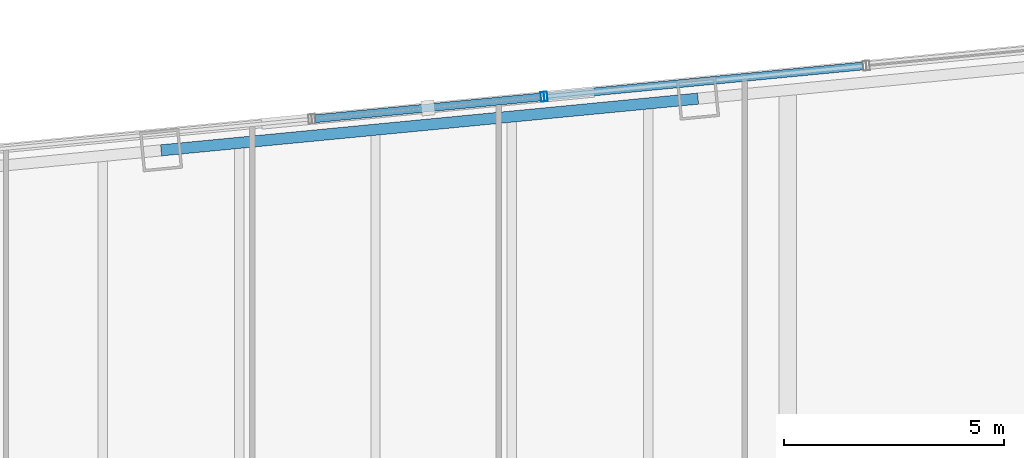
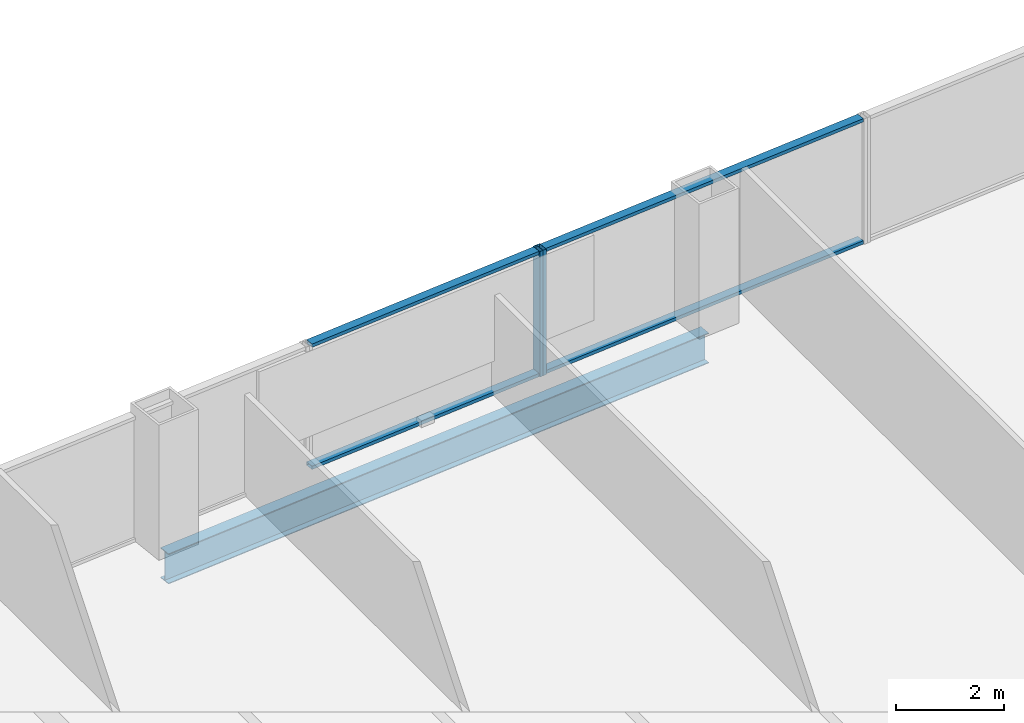
# One storey, part 17 of 27: 6 members, 1 beam, 2 elements without a shape of their own.
"""IFC4 building model written with IfcOpenShell, lengths in metres."""

from ifc_helpers import new_model, si_unit, direction, frame, origin, origin_2d, place, context, subcontext, project, spatial, hollow_rectangle, i_section, extrude, material, layer, layer_set, material_profile, profile_set, type_object, element, aggregate, save


model = new_model("IFC4")

# Units and contexts
model_context = context("Model", 3, precision=1e-05, world=origin(), true_north=direction((0.0, 1.0)))
body_context = subcontext(model_context, "Body", "Model", "MODEL_VIEW")
ifc_project = project(units=[si_unit("LENGTHUNIT", "METRE"), si_unit("AREAUNIT", "SQUARE_METRE"), si_unit("VOLUMEUNIT", "CUBIC_METRE"), si_unit("PLANEANGLEUNIT", "RADIAN"), si_unit("MASSUNIT", "GRAM", prefix="KILO")], contexts=[model_context])

# Site, building, storey
site_placement = place(None, origin())
site = spatial("IfcSite", under=ifc_project, at=site_placement, CompositionType="ELEMENT")
building_placement = place(site_placement, origin())
building = spatial("IfcBuilding", under=site, at=building_placement, Name="Qhalaya Broadcast Tower", CompositionType="ELEMENT")
storey_placement = place(building_placement, frame((0.0, 0.0, 84.699951171875)))
storey = spatial("IfcBuildingStorey", under=building, at=storey_placement, Name="L24", CompositionType="ELEMENT", Elevation=84.699951171875)

# Beam
ifc_material_1 = material(Name="Structural Steel ASTM A992 Grade 50", Category="steel")
ifc_material_profile_1 = material_profile(ifc_material_1, i_section(OverallWidth=0.25390625, OverallDepth=0.68310546875, WebThickness=0.012451171875, FlangeThickness=0.01904296875, at=origin_2d()), Name="W27X94")
ifc_profile_set_1 = profile_set([ifc_material_profile_1], Name="Structural Steel ASTM A992 Grade 50")
beam_type = type_object("IfcBeamType", Name="Perimeter Ring Spandrel Beam SP1", PredefinedType="SPANDREL", material=ifc_profile_set_1)
beam_placement = place(storey_placement, frame((7.335205078125, 28.116943359375, -0.5615234375), z_axis=(-0.99539563662, -0.095851586307, 0.0), x_axis=(0.095851586307, -0.99539563662, 0.0)))
element("IfcBeam", 1, at=beam_placement, inside=storey, type_object=beam_type, Name="L24 SP1 L24-SPR-10", PredefinedType="SPANDREL", context=body_context, shape_type="SweptSolid", body=[
    extrude(i_section(OverallWidth=0.25390625, OverallDepth=0.68310546875, WebThickness=0.012451171875, FlangeThickness=0.01904296875, at=origin_2d()), origin(), (0.0, 0.0, 1.0), 12.2666015625),
])

# Curtain wall, member
ifc_material_2 = material(Name="Fired Architectural Terracotta", Category="masonry")
ifc_layer_1 = layer(ifc_material_2, 0.219970703125, Name="Fired Architectural Terracotta")
ifc_layer_set_1 = layer_set([ifc_layer_1], Name="Fired Architectural Terracotta")
curtain_wall_type_1 = type_object("IfcCurtainWallType", Name="Block-Cap Unitised Terracotta Spandrel Wall CW-07", PredefinedType="NOTDEFINED", material=ifc_layer_set_1)
curtain_wall_1_placement = place(storey_placement, origin())
curtain_wall_1 = element("IfcCurtainWall", 2, at=curtain_wall_1_placement, inside=storey, type_object=curtain_wall_type_1, Name="L24 Unitised Curtain Wall L24-CW-N3", PredefinedType="NOTDEFINED")
ifc_material_3 = material(Name="Anodised Aluminium 6063-T6", Category="aluminium")
ifc_material_profile_2 = material_profile(ifc_material_3, hollow_rectangle(XDim=0.074951171875, YDim=0.219970703125, WallThickness=0.00390625, at=origin_2d()), Name="ALU-MUL 75x220x4")
ifc_profile_set_2 = profile_set([ifc_material_profile_2], Name="Anodised Aluminium 6063-T6")
member_type_1 = type_object("IfcMemberType", Name="Unitised Curtain-Wall Mullion M01", PredefinedType="MULLION", material=ifc_profile_set_2)
member_1_placement = place(storey_placement, frame((3.871826171875, 28.165283203125, 0.0), z_axis=(0.0, 0.0, 1.0), x_axis=(-0.995396450907, -0.095843129762, 0.0)))
member_1 = element("IfcMember", 3, at=member_1_placement, type_object=member_type_1, Name="CW-07 mullion 2", PredefinedType="MULLION", context=body_context, shape_type="SweptSolid", body=[
    extrude(hollow_rectangle(XDim=0.074951171875, YDim=0.219970703125, WallThickness=0.00390625, at=origin_2d()), origin(), (0.0, 0.0, 1.0), 2.830078125),
])

ifc_material_4 = material(Name="Solar-Control Low-E Triple Glazing", Category="glass")
ifc_layer_2 = layer(ifc_material_4, 0.219970703125, Name="Solar-Control Low-E Triple Glazing")
ifc_layer_set_2 = layer_set([ifc_layer_2], Name="Solar-Control Low-E Triple Glazing")
curtain_wall_type_2 = type_object("IfcCurtainWallType", Name="Even-Block 4-Storey Double-Module Curtain Wall CW-03", PredefinedType="NOTDEFINED", material=ifc_layer_set_2)
curtain_wall_2_placement = place(storey_placement, origin())
curtain_wall_2 = element("IfcCurtainWall", 4, at=curtain_wall_2_placement, inside=storey, type_object=curtain_wall_type_2, Name="L24 Unitised Curtain Wall L24-CW-N4", PredefinedType="NOTDEFINED")
member_2_placement = place(storey_placement, frame((3.797119140625, 28.157958984375, 0.0), z_axis=(0.0, 0.0, 1.0), x_axis=(-0.995395483385, -0.095853177608, 0.0)))
member_2 = element("IfcMember", 5, at=member_2_placement, type_object=member_type_1, Name="CW-03 mullion 1", PredefinedType="MULLION", context=body_context, shape_type="SweptSolid", body=[
    extrude(hollow_rectangle(XDim=0.074951171875, YDim=0.219970703125, WallThickness=0.00390625, at=origin_2d()), origin(), (0.0, 0.0, 1.0), 2.830078125),
])

# Member
ifc_material_profile_3 = material_profile(ifc_material_3, hollow_rectangle(XDim=0.074951171875, YDim=0.179931640625, WallThickness=0.00390625, at=origin_2d()), Name="ALU-TRN 75x180x4")
ifc_profile_set_3 = profile_set([ifc_material_profile_3], Name="Anodised Aluminium 6063-T6")
member_type_2 = type_object("IfcMemberType", Name="Unitised Curtain-Wall Transom T01", PredefinedType="USERDEFINED", material=ifc_profile_set_3)
member_3_placement = place(storey_placement, frame((11.0869140625, 28.85986328125, 0.03759765625), z_axis=(-0.995395868945, -0.095849173639, 0.0), x_axis=(0.0, 0.0, 1.0)))
member_3 = element("IfcMember", 6, at=member_3_placement, type_object=member_type_2, Name="CW-07 transom 1.1", ObjectType="TRANSOM", PredefinedType="USERDEFINED", context=body_context, shape_type="SweptSolid", body=[
    extrude(hollow_rectangle(XDim=0.074951171875, YDim=0.179931640625, WallThickness=0.00390625, at=origin_2d()), origin(), (0.0, 0.0, 1.0), 7.2109375),
])

member_4_placement = place(storey_placement, frame((11.0869140625, 28.85986328125, 2.79248046875), z_axis=(-0.995395868945, -0.095849173639, 0.0), x_axis=(0.0, 0.0, 1.0)))
member_4 = element("IfcMember", 7, at=member_4_placement, type_object=member_type_2, Name="CW-07 transom 1.2", ObjectType="TRANSOM", PredefinedType="USERDEFINED", context=body_context, shape_type="SweptSolid", body=[
    extrude(hollow_rectangle(XDim=0.074951171875, YDim=0.179931640625, WallThickness=0.00390625, at=origin_2d()), origin(), (0.0, 0.0, 1.0), 7.2109375),
])

aggregate(curtain_wall_1, [member_1, member_3, member_4])

member_5_placement = place(storey_placement, frame((3.759765625, 28.154296875, 0.03759765625), z_axis=(-0.995397049281, -0.095836915029, 0.0), x_axis=(0.0, 0.0, 1.0)))
member_5 = element("IfcMember", 8, at=member_5_placement, type_object=member_type_2, Name="CW-03 transom 1.1", ObjectType="TRANSOM", PredefinedType="USERDEFINED", context=body_context, shape_type="SweptSolid", body=[
    extrude(hollow_rectangle(XDim=0.074951171875, YDim=0.179931640625, WallThickness=0.00390625, at=origin_2d()), origin(), (0.0, 0.0, 1.0), 5.156005859375),
])

member_6_placement = place(storey_placement, frame((3.759765625, 28.154296875, 2.79248046875), z_axis=(-0.995397049281, -0.095836915029, 0.0), x_axis=(0.0, 0.0, 1.0)))
member_6 = element("IfcMember", 9, at=member_6_placement, type_object=member_type_2, Name="CW-03 transom 1.2", ObjectType="TRANSOM", PredefinedType="USERDEFINED", context=body_context, shape_type="SweptSolid", body=[
    extrude(hollow_rectangle(XDim=0.074951171875, YDim=0.179931640625, WallThickness=0.00390625, at=origin_2d()), origin(), (0.0, 0.0, 1.0), 5.156005859375),
])

aggregate(curtain_wall_2, [member_2, member_5, member_6])

save(model, "model.ifc")
